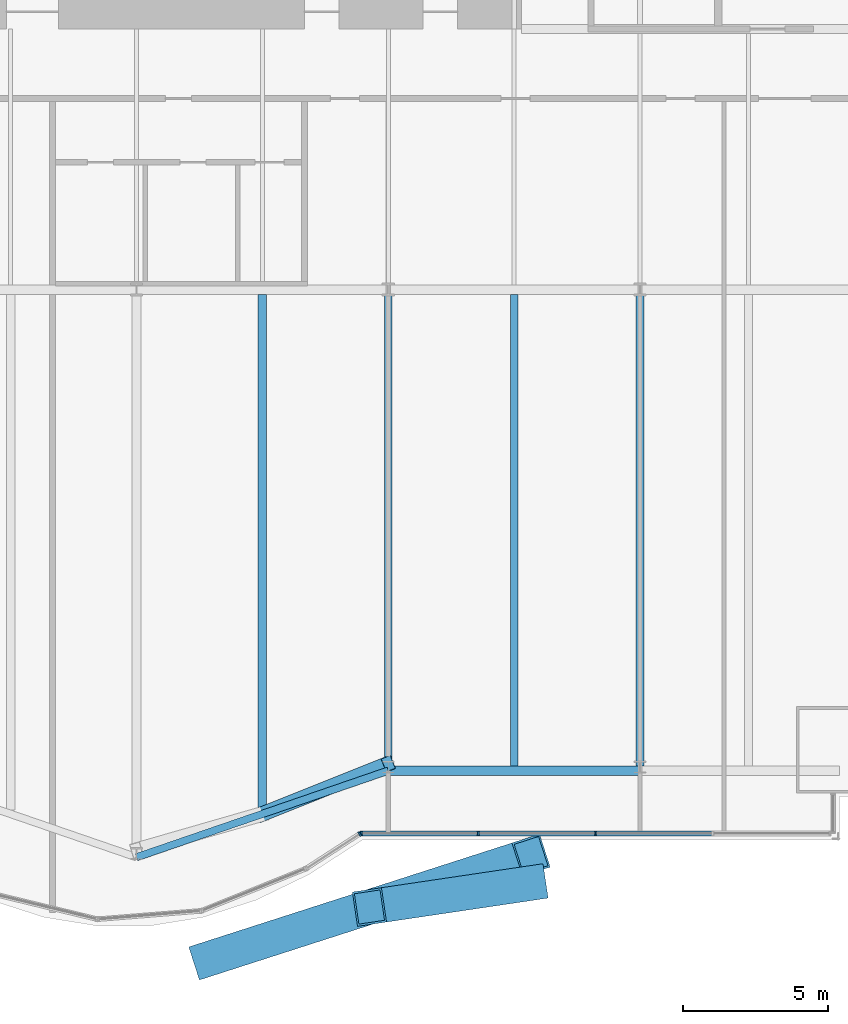
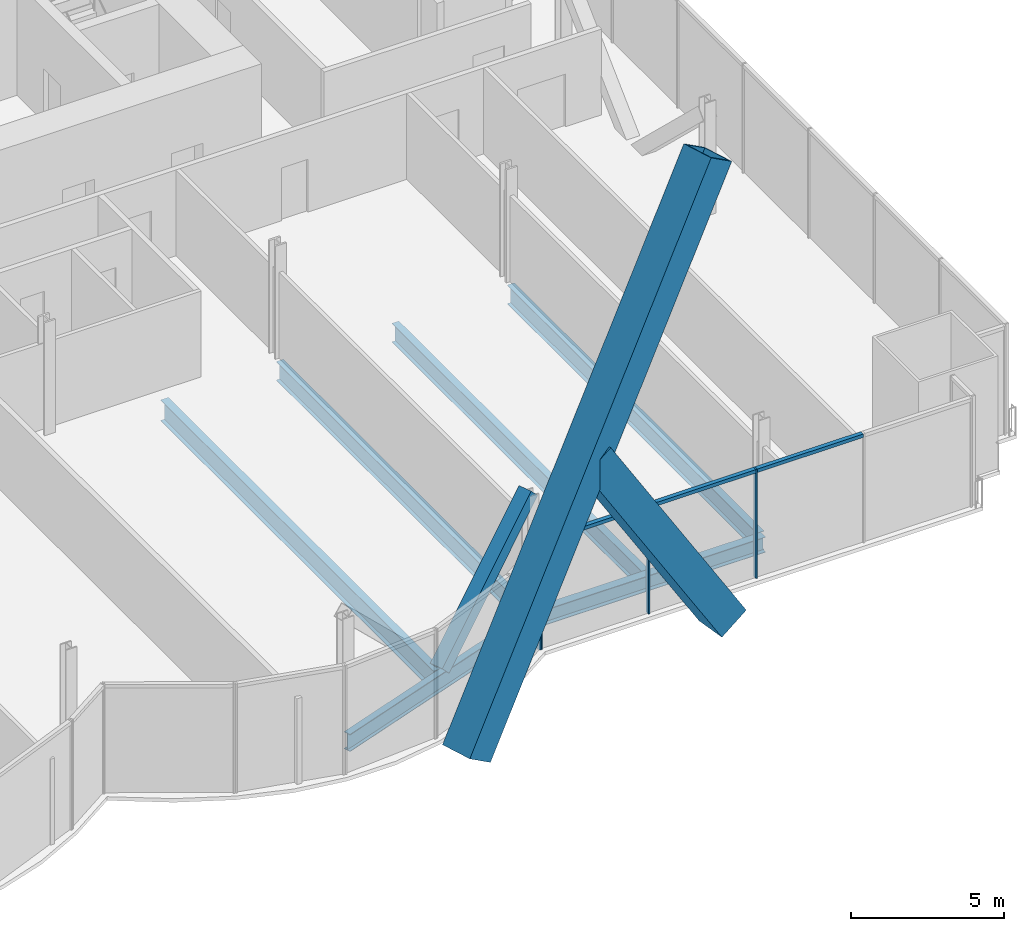
# One storey, part 10 of 23: 10 members, 6 beams, 2 elements without a shape of their own.
"""IFC4 building model written with IfcOpenShell, lengths in metres."""

from ifc_helpers import new_model, si_unit, direction, frame, origin, origin_2d, place, context, subcontext, project, spatial, rectangle, hollow_rectangle, i_section, extrude, material, material_profile, profile_set, type_object, element, aggregate, save


model = new_model("IFC4")

# Units and contexts
model_context = context("Model", 3, precision=1e-05, world=origin(), true_north=direction((0.0, 1.0)))
body_context = subcontext(model_context, "Body", "Model", "MODEL_VIEW")
ifc_project = project(units=[si_unit("LENGTHUNIT", "METRE"), si_unit("AREAUNIT", "SQUARE_METRE"), si_unit("VOLUMEUNIT", "CUBIC_METRE"), si_unit("PLANEANGLEUNIT", "RADIAN"), si_unit("MASSUNIT", "GRAM", prefix="KILO")], contexts=[model_context])

# Site, building, storey
site_placement = place(None, origin())
site = spatial("IfcSite", under=ifc_project, at=site_placement, CompositionType="ELEMENT")
building_placement = place(site_placement, origin())
building = spatial("IfcBuilding", under=site, at=building_placement, Name="Bicima Exchange Tower", CompositionType="ELEMENT")
storey_placement = place(building_placement, frame((0.0, 0.0, 53.0)))
storey = spatial("IfcBuildingStorey", under=building, at=storey_placement, Name="L10", CompositionType="ELEMENT", Elevation=53.0)

# Members
ifc_material_1 = material(Name="Steel ASTM A572 Gr 50", Category="steel")
ifc_material_profile_1 = material_profile(ifc_material_1, hollow_rectangle(XDim=1.199951171875, YDim=1.199951171875, WallThickness=0.070068359375, at=origin_2d()))
ifc_profile_set_1 = profile_set([ifc_material_profile_1], Name="Steel ASTM A572 Gr 50")
member_type_1 = type_object("IfcMemberType", Name="Exo mega brace BOX 1200x1200x70", PredefinedType="BRACE", material=ifc_profile_set_1)
member_1_placement = place(storey_placement, frame((11.166748046875, -45.1328125, 0.300048828125), z_axis=(0.522794587769, 0.168218285631, 0.835696372721), x_axis=(-0.306301555342, 0.951934534091, 0.0)))
element("IfcMember", 1, at=member_1_placement, inside=storey, type_object=member_type_1, Name="Exo mega brace front", PredefinedType="BRACE", context=body_context, shape_type="SweptSolid", body=[
    extrude(hollow_rectangle(XDim=1.199951171875, YDim=1.199951171875, WallThickness=0.070068359375, at=origin_2d()), origin(), (0.0, 0.0, 1.0), 21.359375),
])
member_2_placement = place(storey_placement, frame((22.333251953125, -42.5078125, 0.300048828125), z_axis=(-0.528712787216, -0.078443416285, 0.845168278555), x_axis=(0.146760282233, -0.98917208794, 0.0)))
element("IfcMember", 2, at=member_2_placement, inside=storey, type_object=member_type_1, Name="Exo mega brace front", PredefinedType="BRACE", context=body_context, shape_type="SweptSolid", body=[
    extrude(hollow_rectangle(XDim=1.199951171875, YDim=1.199951171875, WallThickness=0.070068359375, at=origin_2d()), origin(), (0.0, 0.0, 1.0), 10.56005859375),
])

# Beams
ifc_material_2 = material(Name="Steel ASTM A992 Gr 50", Category="steel")
ifc_material_profile_2 = material_profile(ifc_material_2, i_section(OverallWidth=0.2666015625, OverallDepth=0.75439453125, WebThickness=0.01318359375, FlangeThickness=0.01708984375, at=origin_2d()))
ifc_profile_set_2 = profile_set([ifc_material_profile_2], Name="Steel ASTM A992 Gr 50")
beam_type_1 = type_object("IfcBeamType", Name="Floor beam W30x99", PredefinedType="JOIST", material=ifc_profile_set_2)
beam_1_placement = place(storey_placement, frame((17.39990234375, -22.16259765625, -0.527099609375), z_axis=(0.0, -1.0, 0.0), x_axis=(1.0, 0.0, 0.0)))
element("IfcBeam", 3, at=beam_1_placement, inside=storey, type_object=beam_type_1, Name="Floor beam", PredefinedType="JOIST", context=body_context, shape_type="SweptSolid", body=[
    extrude(i_section(OverallWidth=0.2666015625, OverallDepth=0.75439453125, WebThickness=0.01318359375, FlangeThickness=0.01708984375, at=origin_2d()), origin(), (0.0, 0.0, 1.0), 16.32568359375),
])
for number, where, z_axis, x_axis, name in (
    (4, (21.75, -22.16259765625, -0.527099609375), (0.0, -1.0, 0.0), (1.0, 0.0, 0.0), "Floor beam"),
    (5, (26.10009765625, -22.16259765625, -0.527099609375), (0.0, -1.0, 0.0), (1.0, 0.0, 0.0), "Floor beam"),
):
    element("IfcBeam", number, at=place(storey_placement, frame(where, z_axis=z_axis, x_axis=x_axis)), inside=storey, type_object=beam_type_1, Name=name, PredefinedType="JOIST", context=body_context, shape_type="SweptSolid", body=[
        extrude(i_section(OverallWidth=0.2666015625, OverallDepth=0.75439453125, WebThickness=0.01318359375, FlangeThickness=0.01708984375, at=origin_2d()), origin(), (0.0, 0.0, 1.0), 16.298828125),
    ])
ifc_material_profile_3 = material_profile(ifc_material_2, i_section(OverallWidth=0.2919921875, OverallDepth=0.835693359375, WebThickness=0.013916015625, FlangeThickness=0.018798828125, at=origin_2d()))
ifc_profile_set_3 = profile_set([ifc_material_profile_3], Name="Steel ASTM A992 Gr 50")
beam_type_2 = type_object("IfcBeamType", Name="Floor beam W33x118", PredefinedType="JOIST", material=ifc_profile_set_3)
beam_2_placement = place(storey_placement, frame((13.050048828125, -22.16259765625, -0.56787109375), z_axis=(0.0, -1.0, 0.0), x_axis=(1.0, 0.0, 0.0)))
element("IfcBeam", 6, at=beam_2_placement, inside=storey, type_object=beam_type_2, Name="Floor beam", PredefinedType="JOIST", context=body_context, shape_type="SweptSolid", body=[
    extrude(i_section(OverallWidth=0.2919921875, OverallDepth=0.835693359375, WebThickness=0.013916015625, FlangeThickness=0.018798828125, at=origin_2d()), origin(), (0.0, 0.0, 1.0), 17.8212890625),
])
ifc_material_profile_4 = material_profile(ifc_material_2, i_section(OverallWidth=0.3251953125, OverallDepth=0.612060546875, WebThickness=0.0126953125, FlangeThickness=0.01904296875, at=origin_2d()))
ifc_profile_set_4 = profile_set([ifc_material_profile_4], Name="Steel ASTM A992 Gr 50")
beam_type_3 = type_object("IfcBeamType", Name="Front girder W24x104", PredefinedType="BEAM", material=ifc_profile_set_4)
beam_3_placement = place(storey_placement, frame((17.39990234375, -38.6240234375, -0.4560546875), z_axis=(1.0, 0.0, 0.0), x_axis=(0.0, 1.0, 0.0)))
element("IfcBeam", 7, at=beam_3_placement, inside=storey, type_object=beam_type_3, Name="Front girder", PredefinedType="BEAM", context=body_context, shape_type="SweptSolid", body=[
    extrude(i_section(OverallWidth=0.3251953125, OverallDepth=0.612060546875, WebThickness=0.0126953125, FlangeThickness=0.01904296875, at=origin_2d()), origin(), (0.0, 0.0, 1.0), 8.7001953125),
])
ifc_material_profile_5 = material_profile(ifc_material_2, i_section(OverallWidth=0.256591796875, OverallDepth=0.693359375, WebThickness=0.014404296875, FlangeThickness=0.023681640625, at=origin_2d()))
ifc_profile_set_5 = profile_set([ifc_material_profile_5], Name="Steel ASTM A992 Gr 50")
beam_type_4 = type_object("IfcBeamType", Name="Front girder W27x114", PredefinedType="BEAM", material=ifc_profile_set_5)
beam_4_placement = place(storey_placement, frame((8.699951171875, -41.614990234375, -0.49658203125), z_axis=(0.945674616091, 0.32511462668, 0.0), x_axis=(-0.32511462668, 0.945674616091, 0.0)))
element("IfcBeam", 8, at=beam_4_placement, inside=storey, type_object=beam_type_4, Name="Front girder", PredefinedType="BEAM", context=body_context, shape_type="SweptSolid", body=[
    extrude(i_section(OverallWidth=0.256591796875, OverallDepth=0.693359375, WebThickness=0.014404296875, FlangeThickness=0.023681640625, at=origin_2d()), origin(), (0.0, 0.0, 1.0), 9.19970703125),
])

# Curtain wall, member
ifc_material_3 = material(Name="Anodised bronze aluminium", Category="aluminium")
curtain_wall_type = type_object("IfcCurtainWallType", Name="Front glass wall", PredefinedType="NOTDEFINED", material=ifc_material_3)
curtain_wall_1_placement = place(storey_placement, origin())
curtain_wall_1 = element("IfcCurtainWall", 9, at=curtain_wall_1_placement, inside=storey, type_object=curtain_wall_type, Name="Front glass wall L10 run 11", PredefinedType="NOTDEFINED")
ifc_material_profile_6 = material_profile(ifc_material_3, rectangle(XDim=0.159912109375, YDim=0.06005859375, at=origin_2d()))
ifc_profile_set_6 = profile_set([ifc_material_profile_6], Name="Anodised bronze aluminium")
member_type_2 = type_object("IfcMemberType", Name="Front glass wall mullion 60 x 160", PredefinedType="MULLION", material=ifc_profile_set_6)
member_3_placement = place(storey_placement, frame((16.406982421875, -40.810302734375, 0.0), z_axis=(0.0, 0.0, 1.0), x_axis=(-0.542909183079, 0.839791413941, 0.0)))
member_3 = element("IfcMember", 10, at=member_3_placement, type_object=member_type_2, Name="Front glass wall mullion 2", PredefinedType="MULLION", context=body_context, shape_type="SweptSolid", body=[
    extrude(rectangle(XDim=0.159912109375, YDim=0.06005859375, at=origin_2d()), origin(), (0.0, 0.0, 1.0), 4.35009765625),
])
aggregate(curtain_wall_1, [member_3])

# Curtain wall, members
curtain_wall_2_placement = place(storey_placement, origin())
curtain_wall_2 = element("IfcCurtainWall", 11, at=curtain_wall_2_placement, inside=storey, type_object=curtain_wall_type, Name="Front glass wall L10 run 16", PredefinedType="NOTDEFINED")
member_4_placement = place(storey_placement, frame((16.462158203125, -40.7939453125, 0.0), z_axis=(0.0, 0.0, 1.0), x_axis=(0.0, 1.0, 0.0)))
member_4 = element("IfcMember", 12, at=member_4_placement, type_object=member_type_2, Name="Front glass wall mullion 1", PredefinedType="MULLION", context=body_context, shape_type="SweptSolid", body=[
    extrude(rectangle(XDim=0.159912109375, YDim=0.06005859375, at=origin_2d()), origin(), (0.0, 0.0, 1.0), 4.35009765625),
])
member_5_placement = place(storey_placement, frame((20.51171875, -40.7939453125, 0.0), z_axis=(0.0, 0.0, 1.0), x_axis=(0.0, 1.0, 0.0)))
member_5 = element("IfcMember", 13, at=member_5_placement, type_object=member_type_2, Name="Front glass wall mullion 2", PredefinedType="MULLION", context=body_context, shape_type="SweptSolid", body=[
    extrude(rectangle(XDim=0.159912109375, YDim=0.06005859375, at=origin_2d()), origin(), (0.0, 0.0, 1.0), 4.35009765625),
])
member_6_placement = place(storey_placement, frame((24.56103515625, -40.7939453125, 0.0), z_axis=(0.0, 0.0, 1.0), x_axis=(0.0, 1.0, 0.0)))
member_6 = element("IfcMember", 14, at=member_6_placement, type_object=member_type_2, Name="Front glass wall mullion 3", PredefinedType="MULLION", context=body_context, shape_type="SweptSolid", body=[
    extrude(rectangle(XDim=0.159912109375, YDim=0.06005859375, at=origin_2d()), origin(), (0.0, 0.0, 1.0), 4.35009765625),
])
ifc_material_profile_7 = material_profile(ifc_material_3, rectangle(XDim=0.159912109375, YDim=0.139892578125, at=origin_2d()))
ifc_profile_set_7 = profile_set([ifc_material_profile_7], Name="Anodised bronze aluminium")
member_type_3 = type_object("IfcMemberType", Name="Front glass wall transom 140 x 160", PredefinedType="USERDEFINED", material=ifc_profile_set_7)
member_7_placement = place(storey_placement, frame((16.4921875, -40.7939453125, 4.280029296875), z_axis=(1.0, 0.0, 0.0), x_axis=(0.0, 1.0, 0.0)))
member_7 = element("IfcMember", 15, at=member_7_placement, type_object=member_type_3, Name="Front glass wall transom 1.1", ObjectType="TRANSOM", PredefinedType="USERDEFINED", context=body_context, shape_type="SweptSolid", body=[
    extrude(rectangle(XDim=0.159912109375, YDim=0.139892578125, at=origin_2d()), origin(), (0.0, 0.0, 1.0), 3.989501953125),
])
member_8_placement = place(storey_placement, frame((20.54150390625, -40.7939453125, 4.280029296875), z_axis=(1.0, 0.0, 0.0), x_axis=(0.0, 1.0, 0.0)))
member_8 = element("IfcMember", 16, at=member_8_placement, type_object=member_type_3, Name="Front glass wall transom 2.1", ObjectType="TRANSOM", PredefinedType="USERDEFINED", context=body_context, shape_type="SweptSolid", body=[
    extrude(rectangle(XDim=0.159912109375, YDim=0.139892578125, at=origin_2d()), origin(), (0.0, 0.0, 1.0), 3.989501953125),
])
member_9_placement = place(storey_placement, frame((24.591064453125, -40.7939453125, 4.280029296875), z_axis=(1.0, 0.0, 0.0), x_axis=(0.0, 1.0, 0.0)))
member_9 = element("IfcMember", 17, at=member_9_placement, type_object=member_type_3, Name="Front glass wall transom 3.1", ObjectType="TRANSOM", PredefinedType="USERDEFINED", context=body_context, shape_type="SweptSolid", body=[
    extrude(rectangle(XDim=0.159912109375, YDim=0.139892578125, at=origin_2d()), origin(), (0.0, 0.0, 1.0), 3.989501953125),
])
aggregate(curtain_wall_2, [member_4, member_5, member_6, member_7, member_8, member_9])

# Member
ifc_material_profile_8 = material_profile(ifc_material_1, hollow_rectangle(XDim=0.508056640625, YDim=0.508056640625, WallThickness=0.017822265625, at=origin_2d()))
ifc_profile_set_8 = profile_set([ifc_material_profile_8], Name="Steel ASTM A572 Gr 50")
member_type_4 = type_object("IfcMemberType", Name="Mega brace HSS20x20x3/4", PredefinedType="BRACE", material=ifc_profile_set_8)
member_10_placement = place(storey_placement, frame((13.050048828125, -40.119384765625, 0.0), z_axis=(0.669627633412, 0.267783402821, 0.692741569234), x_axis=(-0.371309808925, 0.928509033772, 0.0)))
element("IfcMember", 18, at=member_10_placement, inside=storey, type_object=member_type_4, Name="Mega brace front", PredefinedType="BRACE", context=body_context, shape_type="SweptSolid", body=[
    extrude(hollow_rectangle(XDim=0.508056640625, YDim=0.508056640625, WallThickness=0.017822265625, at=origin_2d()), origin(), (0.0, 0.0, 1.0), 6.495849609375),
])

save(model, "model.ifc")
